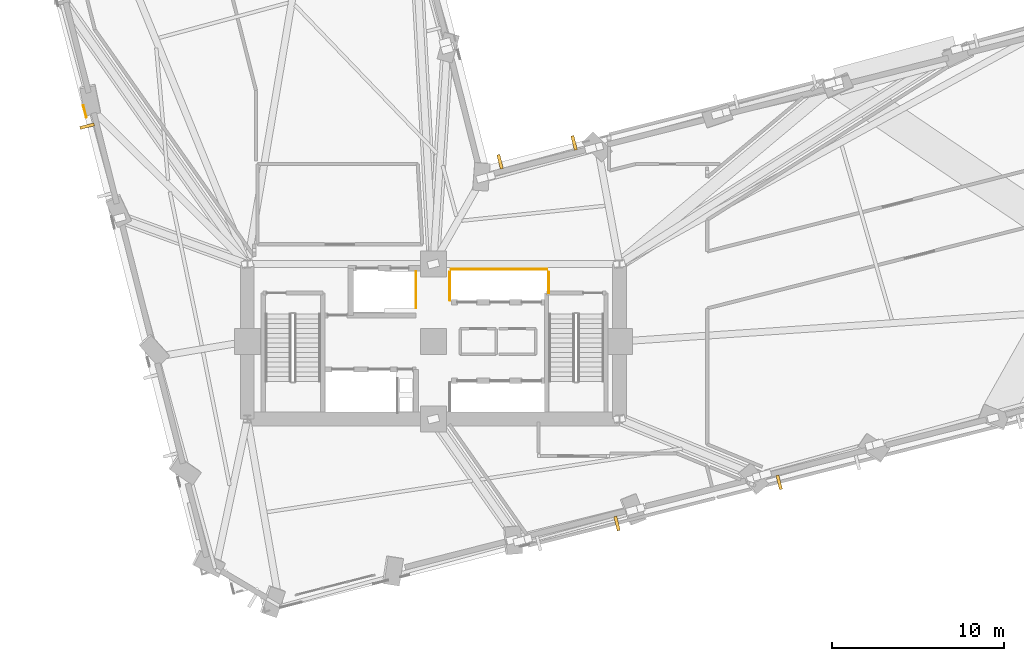
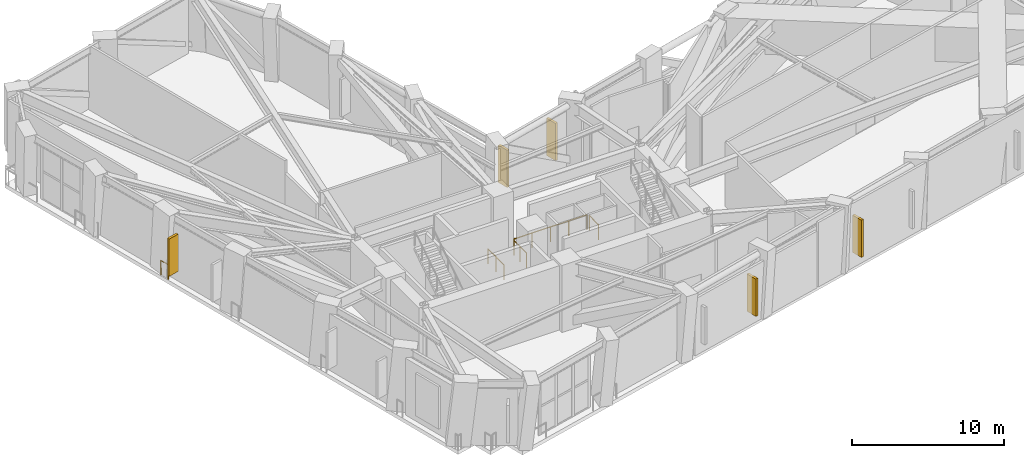
# One storey, part 14 of 17: 5 railings, 5 shading devices.
"""IFC4 building model written with IfcOpenShell, lengths in metres."""

from ifc_helpers import new_model, si_unit, direction, frame, origin, origin_2d, place, context, subcontext, project, spatial, rectangle, circle, extrude, material, layer, layer_set, type_object, element, save


model = new_model("IFC4")

# Units and contexts
model_context = context("Model", 3, precision=1e-05, world=origin(), true_north=direction((0.0, 1.0)))
body_context = subcontext(model_context, "Body", "Model", "MODEL_VIEW")
ifc_project = project(units=[si_unit("LENGTHUNIT", "METRE"), si_unit("AREAUNIT", "SQUARE_METRE"), si_unit("VOLUMEUNIT", "CUBIC_METRE"), si_unit("PLANEANGLEUNIT", "RADIAN"), si_unit("MASSUNIT", "GRAM", prefix="KILO")], contexts=[model_context])

# Site, building, storey
site_placement = place(None, origin())
site = spatial("IfcSite", under=ifc_project, at=site_placement, CompositionType="ELEMENT")
building_placement = place(site_placement, origin())
building = spatial("IfcBuilding", under=site, at=building_placement, Name="Gaonmaruhae Medical Tower", CompositionType="ELEMENT")
storey_placement = place(building_placement, frame((0.0, 0.0, 83.0)))
storey = spatial("IfcBuildingStorey", under=building, at=storey_placement, Name="L19", CompositionType="ELEMENT", Elevation=83.0)

# Railing
ifc_material_1 = material(Name="Stainless steel 316L and laminated safety glass", Category="steel")
ifc_layer = layer(ifc_material_1, 0.080078125)
ifc_layer_set = layer_set([ifc_layer], Name="Stainless steel 316L and laminated safety glass")
railing_type_1 = type_object("IfcRailingType", Name="GD-120 Outdoor Terrace Safety Glass & Steel Balustrade", PredefinedType="BALUSTRADE", material=ifc_layer_set)
railing_1_placement = place(storey_placement, frame((4.47802734375, 26.002197265625, 0.0)))
element("IfcRailing", 1, at=railing_1_placement, inside=storey, type_object=railing_type_1, Name="L19 Perimeter Slab Edge Safety Balustrade 27", PredefinedType="BALUSTRADE", context=body_context, shape_type="SweptSolid", body=[
    extrude(circle(Radius=0.02392578125, at=origin_2d()), frame((0.0, 0.0, 1.17578125), z_axis=(0.246065369402, -0.969253235218, 0.0), x_axis=(0.969253235218, 0.246065369402, 0.0)), (0.0, 0.0, 1.0), 0.699462890625),
    extrude(circle(Radius=0.02099609375, at=origin_2d()), origin(), (0.0, 0.0, 1.0), 1.15185546875),
    extrude(circle(Radius=0.02099609375, at=origin_2d()), frame((0.172119140625, -0.677978515625, 0.0)), (0.0, 0.0, 1.0), 1.15185546875),
])

# Shading devices
ifc_material_2 = material(Name="Pigmented coral precast concrete C45/55", Category="concrete")
shading_device_type = type_object("IfcShadingDeviceType", Name="SD-FIN1 Tower Vertical Coral Precast Shading Fin", PredefinedType="USERDEFINED", material=ifc_material_2)
for number, where, z_axis, x_axis, name in (
    (2, (35.46240234375, 1.733642578125, 0.782470703125), (0.0, 0.0, 1.0), (-0.969230909707, -0.246153293029, 0.0), "L19 Vertical Coral Precast Shading Fin S03"),
    (3, (44.877197265625, 4.124755859375, 0.7724609375), (0.0, 0.0, 1.0), (-0.969235205745, -0.246136376721, 0.0), "L19 Vertical Coral Precast Shading Fin S05B"),
    (4, (28.6728515625, 22.73876953125, 0.782470703125), (0.0, 0.0, 1.0), (0.969230909707, 0.246153293029, 0.0), "L19 Vertical Coral Precast Shading Fin EN04"),
    (5, (32.97265625, 23.830810546875, 0.782470703125), (0.0, 0.0, 1.0), (0.969230909707, 0.246153293029, 0.0), "L19 Vertical Coral Precast Shading Fin EN04B"),
    (6, (4.69482421875, 24.802978515625, 0.782470703125), (0.0, 0.0, 1.0), (-0.246153293029, 0.969230909707, 0.0), "L19 Vertical Coral Precast Shading Fin W03B"),
):
    element("IfcShadingDevice", number, at=place(storey_placement, frame(where, z_axis=z_axis, x_axis=x_axis)), inside=storey, type_object=shading_device_type, Name=name, ObjectType="FIN", PredefinedType="USERDEFINED", context=body_context, shape_type="SweptSolid", body=[
        extrude(rectangle(XDim=0.179931640625, YDim=0.85009765625, at=origin_2d()), origin(), (0.0, 0.0, 1.0), 3.0),
    ])

# Railings
ifc_material_3 = material(Name="Stainless steel 304 balustrade", Category="steel")
railing_type_2 = type_object("IfcRailingType", Name="SG-112 Stair Well & Ramp Void Safety Balustrade", PredefinedType="BALUSTRADE", material=ifc_material_3)
railing_2_placement = place(storey_placement, frame((23.794921875, 16.35498046875, 0.0)))
element("IfcRailing", 7, at=railing_2_placement, inside=storey, type_object=railing_type_2, Name="L19 Shaft Edge Safety Guard 38", PredefinedType="BALUSTRADE", context=body_context, shape_type="SweptSolid", body=[
    extrude(circle(Radius=0.02392578125, at=origin_2d()), frame((0.0, 0.0, 1.17578125), z_axis=(0.0, -1.0, 0.0), x_axis=(1.0, 0.0, 0.0)), (0.0, 0.0, 1.0), 2.10986328125),
    extrude(circle(Radius=0.02099609375, at=origin_2d()), origin(), (0.0, 0.0, 1.0), 1.15185546875),
    extrude(circle(Radius=0.02099609375, at=origin_2d()), frame((0.0, -1.054931640625, 0.0)), (0.0, 0.0, 1.0), 1.15185546875),
    extrude(circle(Radius=0.02099609375, at=origin_2d()), frame((0.0, -2.10986328125, 0.0)), (0.0, 0.0, 1.0), 1.15185546875),
])
railing_3_placement = place(storey_placement, frame((25.844970703125, 16.4951171875, 0.0)))
element("IfcRailing", 8, at=railing_3_placement, inside=storey, type_object=railing_type_2, Name="L19 Shaft Edge Safety Guard 39", PredefinedType="BALUSTRADE", context=body_context, shape_type="SweptSolid", body=[
    extrude(circle(Radius=0.02392578125, at=origin_2d()), frame((0.0, 0.0, 1.17578125), z_axis=(1.0, 0.0, 0.0), x_axis=(0.0, 1.0, 0.0)), (0.0, 0.0, 1.0), 5.56005859375),
    extrude(circle(Radius=0.02099609375, at=origin_2d()), origin(), (0.0, 0.0, 1.0), 1.15185546875),
    extrude(circle(Radius=0.02099609375, at=origin_2d()), frame((1.39013671875, 0.0, 0.0)), (0.0, 0.0, 1.0), 1.15185546875),
    extrude(circle(Radius=0.02099609375, at=origin_2d()), frame((2.780029296875, 0.0, 0.0)), (0.0, 0.0, 1.0), 1.15185546875),
    extrude(circle(Radius=0.02099609375, at=origin_2d()), frame((4.169921875, 0.0, 0.0)), (0.0, 0.0, 1.0), 1.15185546875),
    extrude(circle(Radius=0.02099609375, at=origin_2d()), frame((5.56005859375, 0.0, 0.0)), (0.0, 0.0, 1.0), 1.15185546875),
])
railing_4_placement = place(storey_placement, frame((31.4951171875, 16.330078125, 0.0)))
element("IfcRailing", 9, at=railing_4_placement, inside=storey, type_object=railing_type_2, Name="L19 Shaft Edge Safety Guard 40", PredefinedType="BALUSTRADE", context=body_context, shape_type="SweptSolid", body=[
    extrude(circle(Radius=0.02392578125, at=origin_2d()), frame((0.0, 0.0, 1.17578125), z_axis=(0.0, -1.0, 0.0), x_axis=(1.0, 0.0, 0.0)), (0.0, 0.0, 1.0), 1.2099609375),
    extrude(circle(Radius=0.02099609375, at=origin_2d()), origin(), (0.0, 0.0, 1.0), 1.15185546875),
    extrude(circle(Radius=0.02099609375, at=origin_2d()), frame((0.0, -1.2099609375, 0.0)), (0.0, 0.0, 1.0), 1.15185546875),
])
railing_5_placement = place(storey_placement, frame((25.7548828125, 14.695068359375, 0.0)))
element("IfcRailing", 10, at=railing_5_placement, inside=storey, type_object=railing_type_2, Name="L19 Shaft Edge Safety Guard 41", PredefinedType="BALUSTRADE", context=body_context, shape_type="SweptSolid", body=[
    extrude(circle(Radius=0.02392578125, at=origin_2d()), frame((0.0, 0.0, 1.17578125), z_axis=(0.0, 1.0, 0.0), x_axis=(-1.0, 0.0, 0.0)), (0.0, 0.0, 1.0), 1.635009765625),
    extrude(circle(Radius=0.02099609375, at=origin_2d()), origin(), (0.0, 0.0, 1.0), 1.15185546875),
    extrude(circle(Radius=0.02099609375, at=origin_2d()), frame((0.0, 0.8173828125, 0.0)), (0.0, 0.0, 1.0), 1.15185546875),
    extrude(circle(Radius=0.02099609375, at=origin_2d()), frame((0.0, 1.635009765625, 0.0)), (0.0, 0.0, 1.0), 1.15185546875),
])

save(model, "model.ifc")
